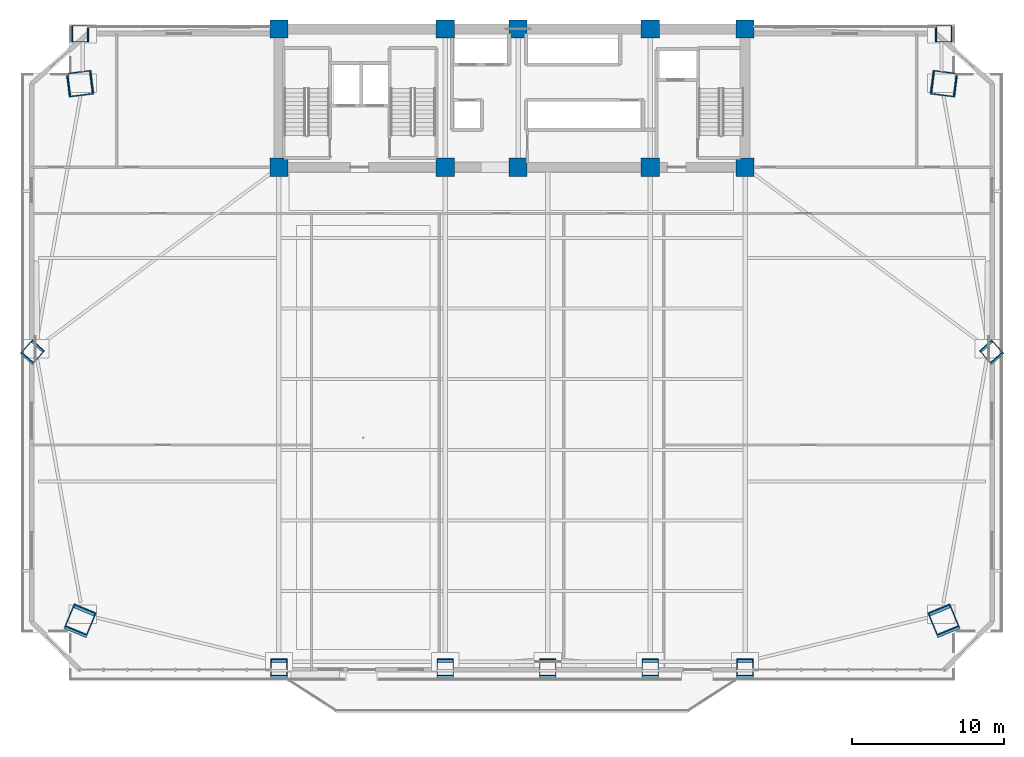
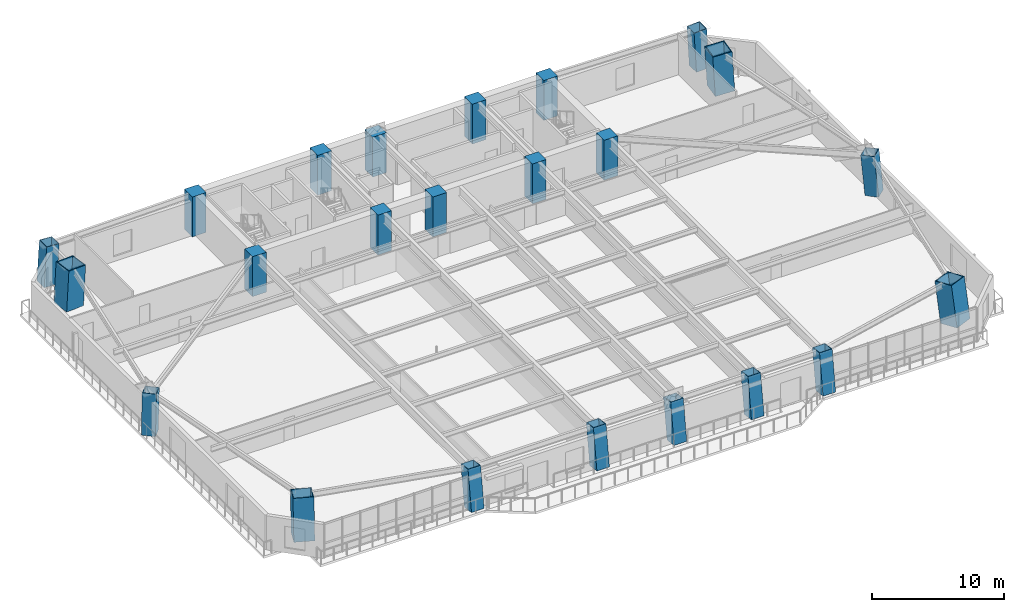
# One storey, part 1 of 17: 23 columns.
"""IFC4 building model written with IfcOpenShell, lengths in metres."""

import ifcopenshell
import ifcopenshell.guid

model = None  # the IFC model being written
_history = None  # IfcOwnerHistory: only IFC2X3 demands one
_inside = {}  # id of a spatial element -> (the spatial element, [elements in it])
_under = {}  # id of a project, library or spatial element -> (it, [spatial elements below it])
_declared = {}  # id of a project -> (the project, [libraries it declares])
_typed = {}  # id of a type object -> (the type object, [elements of that type])
_made_of = {}  # id of a material, layer set ... -> (it, [elements and type objects made of it])


def new_model(schema):
    """Start an empty IFC model of exactly this schema.

    Asked for "IFC4X3", IfcOpenShell would pick the latest addendum, in which some entities
    have other attributes; the version numbers below select the first issue.
    IFC2X3 requires an IfcOwnerHistory on every rooted entity: one is made here for all.
    """
    global model, _history
    if schema == "IFC4X3":
        model = ifcopenshell.file(schema_version=(4, 3, 0, 0))
    else:
        model = ifcopenshell.file(schema=schema)
    _inside.clear()
    _under.clear()
    _declared.clear()
    _typed.clear()
    _made_of.clear()
    _history = None
    if model.schema == "IFC2X3":
        org = make("IfcOrganization", Name="unknown")
        user = make(
            "IfcPersonAndOrganization",
            ThePerson=make("IfcPerson", FamilyName="unknown"),
            TheOrganization=org,
        )
        app = make(
            "IfcApplication",
            ApplicationDeveloper=org,
            Version="unknown",
            ApplicationFullName="unknown",
            ApplicationIdentifier="unknown",
        )
        _history = make(
            "IfcOwnerHistory",
            OwningUser=user,
            OwningApplication=app,
            ChangeAction="ADDED",
            CreationDate=0,
        )
    return model


def make(cls, **values):
    """One entity of the class cls with the attributes given. An attribute that is None is left unset."""
    return model.create_entity(
        cls, **{name: value for name, value in values.items() if value is not None}
    )


def rooted(cls, **values):
    """An entity with a GlobalId (a new one), such as an element, a storey or a relation."""
    return make(cls, GlobalId=ifcopenshell.guid.new(), OwnerHistory=_history, **values)


def si_unit(unit_type, name, prefix=None):
    """IfcSIUnit, for example si_unit("LENGTHUNIT", "METRE", prefix="MILLI")."""
    return make("IfcSIUnit", UnitType=unit_type, Prefix=prefix, Name=name)


def assignment(units):
    """IfcUnitAssignment: the units of a project."""
    return None if units is None else make("IfcUnitAssignment", Units=units)


def point(xyz):
    """IfcCartesianPoint."""
    return None if xyz is None else make("IfcCartesianPoint", Coordinates=xyz)


def direction(xyz):
    """IfcDirection."""
    return None if xyz is None else make("IfcDirection", DirectionRatios=xyz)


def frame(location, z_axis=None, x_axis=None):
    """IfcAxis2Placement3D, a coordinate frame: its origin and axes. An axis left out is left unset."""
    return make(
        "IfcAxis2Placement3D",
        Location=point(location),
        Axis=direction(z_axis),
        RefDirection=direction(x_axis),
    )


def frame_2d(location, x_axis=None):
    """IfcAxis2Placement2D, a coordinate frame in the plane: its origin and x axis."""
    return make(
        "IfcAxis2Placement2D", Location=point(location), RefDirection=direction(x_axis)
    )


def origin():
    """The frame at (0, 0, 0) with its axes left unset."""
    return frame((0.0, 0.0, 0.0))


def origin_2d():
    """The frame at (0, 0) in the plane with its x axis left unset."""
    return frame_2d((0.0, 0.0))


def place(relative_to, where):
    """IfcLocalPlacement: puts the frame where relative to a parent placement (None: the world)."""
    return make(
        "IfcLocalPlacement", PlacementRelTo=relative_to, RelativePlacement=where
    )


def context(
    kind, dimensions, precision=None, world=None, true_north=None, identifier=None
):
    """IfcGeometricRepresentationContext, for example the 3D "Model" context."""
    return make(
        "IfcGeometricRepresentationContext",
        ContextIdentifier=identifier,
        ContextType=kind,
        CoordinateSpaceDimension=dimensions,
        Precision=precision,
        WorldCoordinateSystem=world,
        TrueNorth=true_north,
    )


def subcontext(parent, identifier, kind, view, scale=None):
    """IfcGeometricRepresentationSubContext, for example "Body" below "Model"."""
    return make(
        "IfcGeometricRepresentationSubContext",
        ContextIdentifier=identifier,
        ContextType=kind,
        ParentContext=parent,
        TargetScale=scale,
        TargetView=view,
    )


def project(units=None, contexts=None):
    """IfcProject with its units and contexts."""
    return rooted(
        "IfcProject",
        Name="project",
        RepresentationContexts=contexts,
        UnitsInContext=assignment(units),
    )


def spatial(cls, under=None, at=None, **own):
    """A site, building, storey or space (cls), placed at a placement, below another one or the project."""
    s = rooted(cls, ObjectPlacement=at, **own)
    if under is not None:
        _under.setdefault(under.id(), (under, []))[1].append(s)
    return s


def profile(cls, at=None, kind="AREA", **sizes):
    """A parametric profile (cls). Its sizes go by their IFC names, for example OverallWidth=200.0."""
    return make(cls, ProfileType=kind, Position=at, **sizes)


def rectangle(**sizes):
    """IfcRectangleProfileDef."""
    return profile("IfcRectangleProfileDef", **sizes)


def hollow_rectangle(**sizes):
    """IfcRectangleHollowProfileDef."""
    return profile("IfcRectangleHollowProfileDef", **sizes)


def extrude(swept, where, along, depth):
    """IfcExtrudedAreaSolid: the profile swept, set in the frame where, extruded along a direction by depth."""
    return make(
        "IfcExtrudedAreaSolid",
        SweptArea=swept,
        Position=where,
        ExtrudedDirection=direction(along),
        Depth=depth,
    )


def shape(context_of_items, identifier, shape_type, items):
    """IfcShapeRepresentation: the items that make up one representation, for example the "Body"."""
    return make(
        "IfcShapeRepresentation",
        ContextOfItems=context_of_items,
        RepresentationIdentifier=identifier,
        RepresentationType=shape_type,
        Items=items,
    )


def source(mapping_origin, context_of_items, identifier, shape_type, items):
    """IfcRepresentationMap: a shape defined once, which mapped items show again and again."""
    return make(
        "IfcRepresentationMap",
        MappingOrigin=mapping_origin,
        MappedRepresentation=shape(context_of_items, identifier, shape_type, items),
    )


def transform(
    local_origin,
    x_axis=None,
    y_axis=None,
    z_axis=None,
    scale=None,
    scale2=None,
    scale3=None,
    uniform=True,
):
    """IfcCartesianTransformationOperator3D, or its non-uniform kind. x_axis, y_axis, z_axis: its Axis1, 2, 3."""
    if uniform:
        return make(
            "IfcCartesianTransformationOperator3D",
            Axis1=direction(x_axis),
            Axis2=direction(y_axis),
            LocalOrigin=point(local_origin),
            Scale=scale,
            Axis3=direction(z_axis),
        )
    return make(
        "IfcCartesianTransformationOperator3DnonUniform",
        Axis1=direction(x_axis),
        Axis2=direction(y_axis),
        LocalOrigin=point(local_origin),
        Scale=scale,
        Axis3=direction(z_axis),
        Scale2=scale2,
        Scale3=scale3,
    )


def mapped(mapping_source, mapping_target):
    """IfcMappedItem: shows the shape of a source again, moved by a transform."""
    return make(
        "IfcMappedItem", MappingSource=mapping_source, MappingTarget=mapping_target
    )


def material(Name=None, Category=None):
    """IfcMaterial."""
    return make("IfcMaterial", Name=Name, Category=Category)


def material_profile(
    of_material, cross_section, Name=None, Category=None, Priority=None
):
    """IfcMaterialProfile: a cross section and its material."""
    return make(
        "IfcMaterialProfile",
        Name=Name,
        Material=of_material,
        Profile=cross_section,
        Priority=Priority,
        Category=Category,
    )


def profile_set(profiles, Name=None, composite=None):
    """IfcMaterialProfileSet."""
    return make(
        "IfcMaterialProfileSet",
        Name=Name,
        MaterialProfiles=profiles,
        CompositeProfile=composite,
    )


def made_of(thing, what):
    """Note that an element or type object is made of a material, layer set ...; save() writes the relation."""
    if what is not None:
        _made_of.setdefault(what.id(), (what, []))[1].append(thing)
    return thing


def type_object(cls, material=None, **own):
    """A type object (cls), such as IfcWallType, which elements share."""
    return made_of(rooted(cls, **own), material)


def element(
    cls,
    number,
    at=None,
    inside=None,
    cuts=None,
    type_object=None,
    material=None,
    context=None,
    identifier="Body",
    shape_type=None,
    held_by="IfcProductDefinitionShape",
    body=None,
    shapes=None,
    **own,
):
    """One element of the class cls, such as IfcWall. Its Tag is "e" and its number.

    at: its placement. inside: the storey or other place that contains it. cuts: it is an
    opening in that element (IfcRelVoidsElement). A single representation is given by context,
    identifier, shape_type and body (its items); several are given by shapes. held_by: the class
    of the entity that holds the representations. save() writes the other relations.
    """
    e = rooted(cls, Tag="e%d" % number, ObjectPlacement=at, **own)
    if body is not None:
        shapes = [shape(context, identifier, shape_type, body)]
    if shapes is not None:
        e.Representation = make(held_by, Representations=shapes)
    if inside is not None:
        _inside.setdefault(inside.id(), (inside, []))[1].append(e)
    if cuts is not None:
        rooted(
            "IfcRelVoidsElement", RelatingBuildingElement=cuts, RelatedOpeningElement=e
        )
    if type_object is not None:
        _typed.setdefault(type_object.id(), (type_object, []))[1].append(e)
    return made_of(e, material)


def aggregate(whole, parts):
    """IfcRelAggregates: a whole, such as a stair, and the parts it consists of."""
    return rooted("IfcRelAggregates", RelatingObject=whole, RelatedObjects=parts)


def save(model, path):
    """Write the relations noted so far, then the file.

    IfcRelAggregates (storeys below a building ...), IfcRelContainedInSpatialStructure (elements
    in a storey), IfcRelDefinesByType, IfcRelAssociatesMaterial and IfcRelDeclares: one each for
    every whole, place, type object, material and project.
    """
    for whole, parts in _under.values():
        aggregate(whole, parts)
    for where, things in _inside.values():
        rooted(
            "IfcRelContainedInSpatialStructure",
            RelatedElements=things,
            RelatingStructure=where,
        )
    for kind, things in _typed.values():
        rooted("IfcRelDefinesByType", RelatedObjects=things, RelatingType=kind)
    for what, things in _made_of.values():
        rooted("IfcRelAssociatesMaterial", RelatedObjects=things, RelatingMaterial=what)
    for by, libraries in _declared.values():
        rooted("IfcRelDeclares", RelatingContext=by, RelatedDefinitions=libraries)
    model.write(path)


model = new_model("IFC4")

# Units and contexts
model_context = context("Model", 3, precision=1e-05, world=origin(), true_north=direction((0.0, 1.0)))
body_context = subcontext(model_context, "Body", "Model", "MODEL_VIEW")
ifc_project = project(units=[si_unit("LENGTHUNIT", "METRE"), si_unit("AREAUNIT", "SQUARE_METRE"), si_unit("VOLUMEUNIT", "CUBIC_METRE"), si_unit("PLANEANGLEUNIT", "RADIAN"), si_unit("MASSUNIT", "GRAM", prefix="KILO")], contexts=[model_context])

# Site, building, storey
site_placement = place(None, origin())
site = spatial("IfcSite", under=ifc_project, at=site_placement, CompositionType="ELEMENT")
building_placement = place(site_placement, origin())
building = spatial("IfcBuilding", under=site, at=building_placement, Name="Giltprow Tower", CompositionType="ELEMENT")
storey_placement = place(building_placement, frame((0.0, 0.0, 57.199951171875)))
storey = spatial("IfcBuildingStorey", under=building, at=storey_placement, Name="L14", CompositionType="ELEMENT", Elevation=57.199951171875)

# Columns
ifc_material_1 = material(Name="Concrete C60", Category="concrete")
ifc_material_profile_1 = material_profile(ifc_material_1, rectangle(XDim=1.199951171875, YDim=1.199951171875, at=origin_2d()), Name="RC 1200x1200")
ifc_profile_set_1 = profile_set([ifc_material_profile_1], Name="Concrete C60")
column_type_1 = type_object("IfcColumnType", Name="PIL-RC-1200-C60", PredefinedType="PILASTER", material=ifc_profile_set_1)
shared_shape_1 = source(origin(), body_context, "Body", "SweptSolid", [
    extrude(rectangle(XDim=1.199951171875, YDim=1.199951171875, at=origin_2d()), origin(), (0.0, 0.0, 1.0), 3.679931640625),
])
for number, where, z_axis, x_axis, name in (
    (1, (19.85009765625, 37.449951171875, 0.0), (0.0, 0.0, 1.0), (1.0, 0.0, 0.0), "L14 Core Boundary Pilaster 1-1"),
    (2, (19.85009765625, 46.550048828125, 0.0), (0.0, 0.0, 1.0), (1.0, 0.0, 0.0), "L14 Core Boundary Pilaster 1-2"),
    (3, (30.800048828125, 37.449951171875, 0.0), (0.0, 0.0, 1.0), (1.0, 0.0, 0.0), "L14 Core Boundary Pilaster 2-1"),
    (4, (30.800048828125, 46.550048828125, 0.0), (0.0, 0.0, 1.0), (1.0, 0.0, 0.0), "L14 Core Boundary Pilaster 2-2"),
    (5, (35.60009765625, 37.449951171875, 0.0), (0.0, 0.0, 1.0), (1.0, 0.0, 0.0), "L14 Core Boundary Pilaster 3-1"),
    (6, (35.60009765625, 46.550048828125, 0.0), (0.0, 0.0, 1.0), (1.0, 0.0, 0.0), "L14 Core Boundary Pilaster 3-2"),
    (7, (44.300048828125, 37.449951171875, 0.0), (0.0, 0.0, 1.0), (1.0, 0.0, 0.0), "L14 Core Boundary Pilaster 4-1"),
    (8, (44.300048828125, 46.550048828125, 0.0), (0.0, 0.0, 1.0), (1.0, 0.0, 0.0), "L14 Core Boundary Pilaster 4-2"),
    (9, (50.550048828125, 37.449951171875, 0.0), (0.0, 0.0, 1.0), (1.0, 0.0, 0.0), "L14 Core Boundary Pilaster 5-1"),
    (10, (50.550048828125, 46.550048828125, 0.0), (0.0, 0.0, 1.0), (1.0, 0.0, 0.0), "L14 Core Boundary Pilaster 5-2"),
):
    element("IfcColumn", number, at=place(storey_placement, frame(where, z_axis=z_axis, x_axis=x_axis)), inside=storey, type_object=column_type_1, Name=name, PredefinedType="PILASTER", context=body_context, shape_type="MappedRepresentation", body=[
        mapped(shared_shape_1, transform((0.0, 0.0, 0.0), x_axis=(1.0, 0.0, 0.0), y_axis=(0.0, 1.0, 0.0), z_axis=(0.0, 0.0, 1.0), scale=1.0)),
    ])
ifc_material_2 = material(Name="Structural steel Q420GJC", Category="steel")
ifc_material_profile_2 = material_profile(ifc_material_2, hollow_rectangle(XDim=1.60009765625, YDim=1.60009765625, WallThickness=0.074951171875, at=origin_2d()), Name="BOX 1600x1600x75")
ifc_profile_set_2 = profile_set([ifc_material_profile_2], Name="Structural steel Q420GJC")
column_type_2 = type_object("IfcColumnType", Name="COL-BOX-1600x1600x75", PredefinedType="COLUMN", material=ifc_profile_set_2)
shared_shape_2 = source(origin(), body_context, "Body", "SweptSolid", [
    extrude(hollow_rectangle(XDim=1.60009765625, YDim=1.60009765625, WallThickness=0.074951171875, at=origin_2d()), origin(), (0.0, 0.0, 1.0), 3.7197265625),
])
column_1_placement = place(storey_placement, frame((63.681884765625, 7.501953125, 0.0), z_axis=(-0.055853235293, 0.134940366349, 0.98927827917), x_axis=(-0.923978502811, -0.382444409481, 0.0)))
element("IfcColumn", 11, at=column_1_placement, inside=storey, type_object=column_type_2, Name="L14 Mega-Column MC_SE", PredefinedType="COLUMN", context=body_context, shape_type="MappedRepresentation", body=[
    mapped(shared_shape_2, transform((0.0, 0.0, 0.0), x_axis=(1.0, 0.0, 0.0), y_axis=(0.0, 1.0, 0.0), z_axis=(0.0, 0.0, 1.0), scale=1.0)),
])
shared_shape_3 = source(origin(), body_context, "Body", "SweptSolid", [
    extrude(hollow_rectangle(XDim=1.60009765625, YDim=1.60009765625, WallThickness=0.074951171875, at=origin_2d()), origin(), (0.0, 0.0, 1.0), 3.68603515625),
])
column_2_placement = place(storey_placement, frame((6.718017578125, 42.951904296875, 0.0), z_axis=(0.056697506007, 0.007087188251, 0.998366247714), x_axis=(-0.124034734589, 0.992277876714, 0.0)))
element("IfcColumn", 12, at=column_2_placement, inside=storey, type_object=column_type_2, Name="L14 Mega-Column MC_NW", PredefinedType="COLUMN", context=body_context, shape_type="MappedRepresentation", body=[
    mapped(shared_shape_3, transform((0.0, 0.0, 0.0), x_axis=(1.0, 0.0, 0.0), y_axis=(0.0, 1.0, 0.0), z_axis=(0.0, 0.0, 1.0), scale=1.0)),
])
ifc_material_profile_3 = material_profile(ifc_material_2, hollow_rectangle(XDim=1.10009765625, YDim=1.10009765625, WallThickness=0.050048828125, at=origin_2d()), Name="BOX 1100x1100x50")
ifc_profile_set_3 = profile_set([ifc_material_profile_3], Name="Structural steel Q420GJC")
column_type_3 = type_object("IfcColumnType", Name="COL-BOX-1100x1100x50", PredefinedType="COLUMN", material=ifc_profile_set_3)
shared_shape_4 = source(origin(), body_context, "Body", "SweptSolid", [
    extrude(hollow_rectangle(XDim=1.10009765625, YDim=1.10009765625, WallThickness=0.050048828125, at=origin_2d()), origin(), (0.0, 0.0, 1.0), 3.717529296875),
])
for number, where, z_axis, x_axis, name in (
    (13, (19.85009765625, 4.35400390625, 0.0), (0.0, 0.142046516587, 0.989859983596), (-1.0, 0.0, 0.0), "L14 Perimeter Column S1"),
    (14, (30.800048828125, 4.35400390625, 0.0), (0.0, 0.142046516587, 0.989859983596), (-1.0, 0.0, 0.0), "L14 Perimeter Column S2"),
    (15, (37.550048828125, 4.35400390625, 0.0), (0.0, 0.142046516587, 0.989859983596), (-1.0, 0.0, 0.0), "L14 Perimeter Column S_MID"),
    (16, (44.300048828125, 4.35400390625, 0.0), (0.0, 0.142046516587, 0.989859983596), (-1.0, 0.0, 0.0), "L14 Perimeter Column S3"),
    (17, (50.550048828125, 4.35400390625, 0.0), (0.0, 0.142046516587, 0.989859983596), (-1.0, 0.0, 0.0), "L14 Perimeter Column S4"),
):
    element("IfcColumn", number, at=place(storey_placement, frame(where, z_axis=z_axis, x_axis=x_axis)), inside=storey, type_object=column_type_3, Name=name, PredefinedType="COLUMN", context=body_context, shape_type="MappedRepresentation", body=[
        mapped(shared_shape_4, transform((0.0, 0.0, 0.0), x_axis=(1.0, 0.0, 0.0), y_axis=(0.0, 1.0, 0.0), z_axis=(0.0, 0.0, 1.0), scale=1.0)),
    ])
shared_shape_5 = source(origin(), body_context, "Body", "SweptSolid", [
    extrude(hollow_rectangle(XDim=1.10009765625, YDim=1.10009765625, WallThickness=0.050048828125, at=origin_2d()), origin(), (0.0, 0.0, 1.0), 3.69677734375),
])
for number, where, z_axis, x_axis, name in (
    (18, (3.570068359375, 25.22705078125, 0.0), (0.063530627599, 0.071389405857, 0.995423232644), (-0.747027925172, 0.664792658664, 0.0), "L14 Perimeter Column W_MID"),
    (19, (66.830078125, 25.22705078125, 0.0), (-0.063333303059, 0.071390303031, 0.995435742455), (-0.7480580155, -0.6636333366, 0.0), "L14 Perimeter Column E_MID"),
):
    element("IfcColumn", number, at=place(storey_placement, frame(where, z_axis=z_axis, x_axis=x_axis)), inside=storey, type_object=column_type_3, Name=name, PredefinedType="COLUMN", context=body_context, shape_type="MappedRepresentation", body=[
        mapped(shared_shape_5, transform((0.0, 0.0, 0.0), x_axis=(1.0, 0.0, 0.0), y_axis=(0.0, 1.0, 0.0), z_axis=(0.0, 0.0, 1.0), scale=1.0)),
    ])
shared_shape_6 = source(origin(), body_context, "Body", "SweptSolid", [
    extrude(hollow_rectangle(XDim=1.10009765625, YDim=1.10009765625, WallThickness=0.050048828125, at=origin_2d()), origin(), (0.0, 0.0, 1.0), 3.685791015625),
])
for number, where, z_axis, x_axis, name in (
    (20, (6.718017578125, 46.25, 0.0), (0.056698929969, 0.0, 0.998391321747), (0.0, 1.0, 0.0), "L14 Perimeter Column N_W"),
    (21, (63.681884765625, 46.25, 0.0), (-0.056368800034, 0.0, 0.998410015166), (0.0, -1.0, 0.0), "L14 Perimeter Column N_E"),
):
    element("IfcColumn", number, at=place(storey_placement, frame(where, z_axis=z_axis, x_axis=x_axis)), inside=storey, type_object=column_type_3, Name=name, PredefinedType="COLUMN", context=body_context, shape_type="MappedRepresentation", body=[
        mapped(shared_shape_6, transform((0.0, 0.0, 0.0), x_axis=(1.0, 0.0, 0.0), y_axis=(0.0, 1.0, 0.0), z_axis=(0.0, 0.0, 1.0), scale=1.0)),
    ])
shared_shape_7 = source(origin(), body_context, "Body", "SweptSolid", [
    extrude(hollow_rectangle(XDim=1.60009765625, YDim=1.60009765625, WallThickness=0.074951171875, at=origin_2d()), origin(), (0.0, 0.0, 1.0), 3.719970703125),
])
column_3_placement = place(storey_placement, frame((6.718017578125, 7.501953125, 0.0), z_axis=(0.056180364921, 0.134937885839, 0.989260093991), x_axis=(-0.923183164535, 0.384360305857, 0.0)))
element("IfcColumn", 22, at=column_3_placement, inside=storey, type_object=column_type_2, Name="L14 Mega-Column MC_SW", PredefinedType="COLUMN", context=body_context, shape_type="MappedRepresentation", body=[
    mapped(shared_shape_7, transform((0.0, 0.0, 0.0), x_axis=(1.0, 0.0, 0.0), y_axis=(0.0, 1.0, 0.0), z_axis=(0.0, 0.0, 1.0), scale=1.0)),
])
shared_shape_8 = source(origin(), body_context, "Body", "SweptSolid", [
    extrude(hollow_rectangle(XDim=1.60009765625, YDim=1.60009765625, WallThickness=0.074951171875, at=origin_2d()), origin(), (0.0, 0.0, 1.0), 3.685791015625),
])
column_4_placement = place(storey_placement, frame((63.681884765625, 42.951904296875, 0.0), z_axis=(-0.05636738431, 0.007087320941, 0.998384939724), x_axis=(-0.124752184173, -0.992187932069, 0.0)))
element("IfcColumn", 23, at=column_4_placement, inside=storey, type_object=column_type_2, Name="L14 Mega-Column MC_NE", PredefinedType="COLUMN", context=body_context, shape_type="MappedRepresentation", body=[
    mapped(shared_shape_8, transform((0.0, 0.0, 0.0), x_axis=(1.0, 0.0, 0.0), y_axis=(0.0, 1.0, 0.0), z_axis=(0.0, 0.0, 1.0), scale=1.0)),
])

save(model, "model.ifc")
